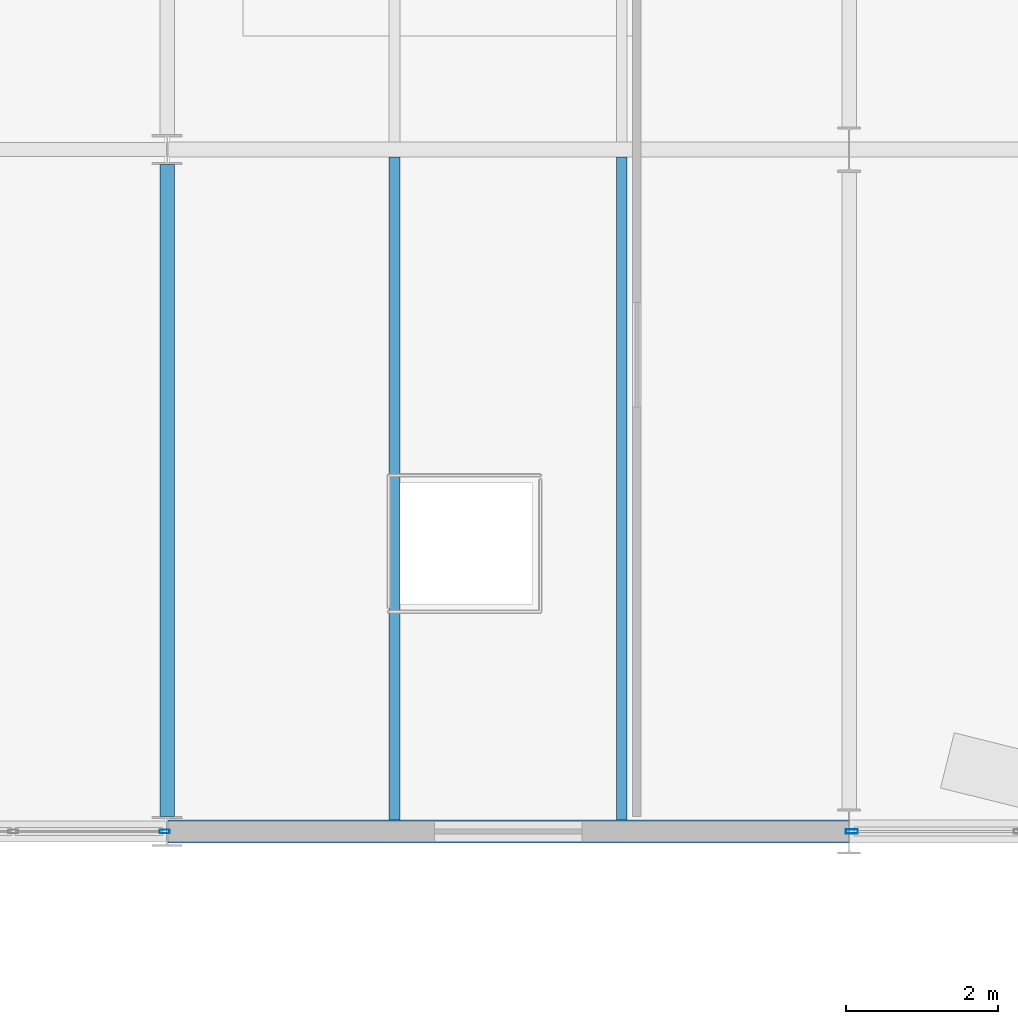
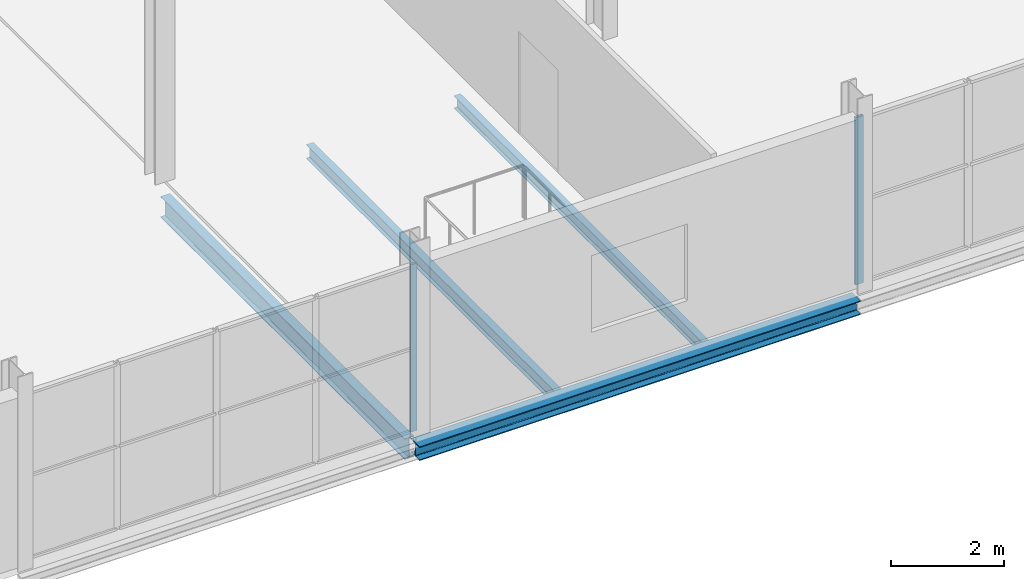
# One storey, part 38 of 88: 4 beams, 2 members, 2 elements without a shape of their own.
"""IFC4 building model written with IfcOpenShell, lengths in metres."""

from ifc_helpers import new_model, si_unit, direction, frame, origin, origin_2d, place, context, subcontext, project, spatial, hollow_rectangle, i_section, extrude, material, layer, layer_set, material_profile, profile_set, type_object, element, aggregate, save


model = new_model("IFC4")

# Units and contexts
model_context = context("Model", 3, precision=1e-05, world=origin(), true_north=direction((0.0, 1.0)))
body_context = subcontext(model_context, "Body", "Model", "MODEL_VIEW")
ifc_project = project(units=[si_unit("LENGTHUNIT", "METRE"), si_unit("AREAUNIT", "SQUARE_METRE"), si_unit("VOLUMEUNIT", "CUBIC_METRE"), si_unit("PLANEANGLEUNIT", "RADIAN"), si_unit("MASSUNIT", "GRAM", prefix="KILO")], contexts=[model_context])

# Site, building, storey
site_placement = place(None, origin())
site = spatial("IfcSite", under=ifc_project, at=site_placement, CompositionType="ELEMENT")
building_placement = place(site_placement, origin())
building = spatial("IfcBuilding", under=site, at=building_placement, Name="Deido Ridge Mobility Hub", CompositionType="ELEMENT")
storey_placement = place(building_placement, frame((0.0, 0.0, 16.800048828125)))
storey = spatial("IfcBuildingStorey", under=building, at=storey_placement, Name="L04", CompositionType="ELEMENT", Elevation=16.800048828125)

# Beams
ifc_material_1 = material(Name="Steel S355J2 EN 10025-2", Category="steel")
ifc_material_profile_1 = material_profile(ifc_material_1, i_section(OverallWidth=0.18994140625, OverallDepth=0.449951171875, WebThickness=0.009521484375, FlangeThickness=0.0146484375, FilletRadius=0.02099609375, at=origin_2d()), Name="IPE 450")
ifc_profile_set_1 = profile_set([ifc_material_profile_1], Name="Steel S355J2 EN 10025-2")
beam_type_1 = type_object("IfcBeamType", Name="BM-IPE450", PredefinedType="BEAM", material=ifc_profile_set_1)
beam_1_placement = place(storey_placement, frame((144.0, 0.196533203125, -0.5), z_axis=(0.0, 1.0, 0.0), x_axis=(-1.0, 0.0, 0.0)))
element("IfcBeam", 1, at=beam_1_placement, inside=storey, type_object=beam_type_1, Name="Floor beam B4", PredefinedType="BEAM", context=body_context, shape_type="SweptSolid", body=[
    extrude(i_section(OverallWidth=0.18994140625, OverallDepth=0.449951171875, WebThickness=0.009521484375, FlangeThickness=0.0146484375, FilletRadius=0.02099609375, at=origin_2d()), origin(), (0.0, 0.0, 1.0), 8.60693359375),
])
ifc_material_profile_2 = material_profile(ifc_material_1, i_section(OverallWidth=0.135009765625, OverallDepth=0.27001953125, WebThickness=0.006591796875, FlangeThickness=0.01025390625, FilletRadius=0.014892578125, at=origin_2d()), Name="IPE 270")
ifc_profile_set_2 = profile_set([ifc_material_profile_2], Name="Steel S355J2 EN 10025-2")
beam_type_2 = type_object("IfcBeamType", Name="JST-IPE270", PredefinedType="JOIST", material=ifc_profile_set_2)
beam_2_placement = place(storey_placement, frame((150.0, 0.14990234375, -0.41015625), z_axis=(0.0, 1.0, 0.0), x_axis=(-1.0, 0.0, 0.0)))
element("IfcBeam", 2, at=beam_2_placement, inside=storey, type_object=beam_type_2, Name="Composite joist J4", PredefinedType="JOIST", context=body_context, shape_type="SweptSolid", body=[
    extrude(i_section(OverallWidth=0.135009765625, OverallDepth=0.27001953125, WebThickness=0.006591796875, FlangeThickness=0.01025390625, FilletRadius=0.014892578125, at=origin_2d()), origin(), (0.0, 0.0, 1.0), 8.75),
])
ifc_material_profile_3 = material_profile(ifc_material_1, i_section(OverallWidth=0.14990234375, OverallDepth=0.300048828125, WebThickness=0.007080078125, FlangeThickness=0.0107421875, FilletRadius=0.014892578125, at=origin_2d()), Name="IPE 300")
ifc_profile_set_3 = profile_set([ifc_material_profile_3], Name="Steel S355J2 EN 10025-2")
beam_type_3 = type_object("IfcBeamType", Name="JST-IPE300", PredefinedType="JOIST", material=ifc_profile_set_3)
beam_3_placement = place(storey_placement, frame((147.0, 0.14990234375, -0.425048828125), z_axis=(0.0, 1.0, 0.0), x_axis=(-1.0, 0.0, 0.0)))
element("IfcBeam", 3, at=beam_3_placement, inside=storey, type_object=beam_type_3, Name="Composite joist J3", PredefinedType="JOIST", context=body_context, shape_type="SweptSolid", body=[
    extrude(i_section(OverallWidth=0.14990234375, OverallDepth=0.300048828125, WebThickness=0.007080078125, FlangeThickness=0.0107421875, FilletRadius=0.014892578125, at=origin_2d()), origin(), (0.0, 0.0, 1.0), 8.75),
])

# Curtain wall, member
ifc_material_2 = material(Name="Anodised aluminium EN AW-6063 T6", Category="aluminium")
ifc_layer_1 = layer(ifc_material_2, 0.1650390625, Name="Anodised aluminium EN AW-6063 T6")
ifc_layer_set_1 = layer_set([ifc_layer_1], Name="Anodised aluminium EN AW-6063 T6")
curtain_wall_type_1 = type_object("IfcCurtainWallType", Name="CW-UF-1", PredefinedType="USERDEFINED", material=ifc_layer_set_1)
curtain_wall_1_placement = place(storey_placement, origin())
curtain_wall_1 = element("IfcCurtainWall", 4, at=curtain_wall_1_placement, inside=storey, type_object=curtain_wall_type_1, Name="Unitised curtain wall CW1", ObjectType="UNITISED FACADE", PredefinedType="USERDEFINED")
ifc_material_profile_4 = material_profile(ifc_material_2, hollow_rectangle(XDim=0.050048828125, YDim=0.1298828125, WallThickness=0.00390625, at=origin_2d()), Name="RHS 50x130x4")
ifc_profile_set_4 = profile_set([ifc_material_profile_4], Name="Anodised aluminium EN AW-6063 T6")
member_type_1 = type_object("IfcMemberType", Name="MEM-MUL-50X130", PredefinedType="MULLION", material=ifc_profile_set_4)
member_1_placement = place(storey_placement, frame((143.96630859375, 0.0, 0.0), z_axis=(0.0, 0.0, 1.0), x_axis=(0.0, 1.0, 0.0)))
member_1 = element("IfcMember", 5, at=member_1_placement, type_object=member_type_1, Name="CW1 mullion 5", PredefinedType="MULLION", context=body_context, shape_type="SweptSolid", body=[
    extrude(hollow_rectangle(XDim=0.050048828125, YDim=0.1298828125, WallThickness=0.00390625, at=origin_2d()), origin(), (0.0, 0.0, 1.0), 3.599853515625),
])
aggregate(curtain_wall_1, [member_1])

ifc_layer_2 = layer(ifc_material_2, 0.195068359375, Name="Anodised aluminium EN AW-6063 T6")
ifc_layer_set_2 = layer_set([ifc_layer_2], Name="Anodised aluminium EN AW-6063 T6")
curtain_wall_type_2 = type_object("IfcCurtainWallType", Name="CW-UF-3", PredefinedType="USERDEFINED", material=ifc_layer_set_2)
curtain_wall_2_placement = place(storey_placement, origin())
curtain_wall_2 = element("IfcCurtainWall", 6, at=curtain_wall_2_placement, inside=storey, type_object=curtain_wall_type_2, Name="Unitised curtain wall CW3", ObjectType="UNITISED FACADE", PredefinedType="USERDEFINED")
ifc_material_profile_5 = material_profile(ifc_material_2, hollow_rectangle(XDim=0.06005859375, YDim=0.159912109375, WallThickness=0.00390625, at=origin_2d()), Name="RHS 60x160x4")
ifc_profile_set_5 = profile_set([ifc_material_profile_5], Name="Anodised aluminium EN AW-6063 T6")
member_type_2 = type_object("IfcMemberType", Name="MEM-MUL-60X160", PredefinedType="MULLION", material=ifc_profile_set_5)
member_2_placement = place(storey_placement, frame((153.03759765625, 0.0, 0.0), z_axis=(0.0, 0.0, 1.0), x_axis=(0.0, 1.0, 0.0)))
member_2 = element("IfcMember", 7, at=member_2_placement, type_object=member_type_2, Name="CW3 mullion 1", PredefinedType="MULLION", context=body_context, shape_type="SweptSolid", body=[
    extrude(hollow_rectangle(XDim=0.06005859375, YDim=0.159912109375, WallThickness=0.00390625, at=origin_2d()), origin(), (0.0, 0.0, 1.0), 3.599853515625),
])
aggregate(curtain_wall_2, [member_2])

# Beam
ifc_material_profile_6 = material_profile(ifc_material_1, i_section(OverallWidth=0.300048828125, OverallDepth=0.300048828125, WebThickness=0.010986328125, FlangeThickness=0.01904296875, FilletRadius=0.027099609375, at=origin_2d()), Name="HEB 300")
ifc_profile_set_6 = profile_set([ifc_material_profile_6], Name="Steel S355J2 EN 10025-2")
beam_type_4 = type_object("IfcBeamType", Name="SPD-HEB300", PredefinedType="SPANDREL", material=ifc_profile_set_6)
beam_4_placement = place(storey_placement, frame((144.0087890625, 0.0, -0.425048828125), z_axis=(1.0, 0.0, 0.0), x_axis=(0.0, 1.0, 0.0)))
element("IfcBeam", 8, at=beam_4_placement, inside=storey, type_object=beam_type_4, Name="Floor beam SP1", PredefinedType="SPANDREL", context=body_context, shape_type="SweptSolid", body=[
    extrude(i_section(OverallWidth=0.300048828125, OverallDepth=0.300048828125, WebThickness=0.010986328125, FlangeThickness=0.01904296875, FilletRadius=0.027099609375, at=origin_2d()), origin(), (0.0, 0.0, 1.0), 8.9833984375),
])

save(model, "model.ifc")
